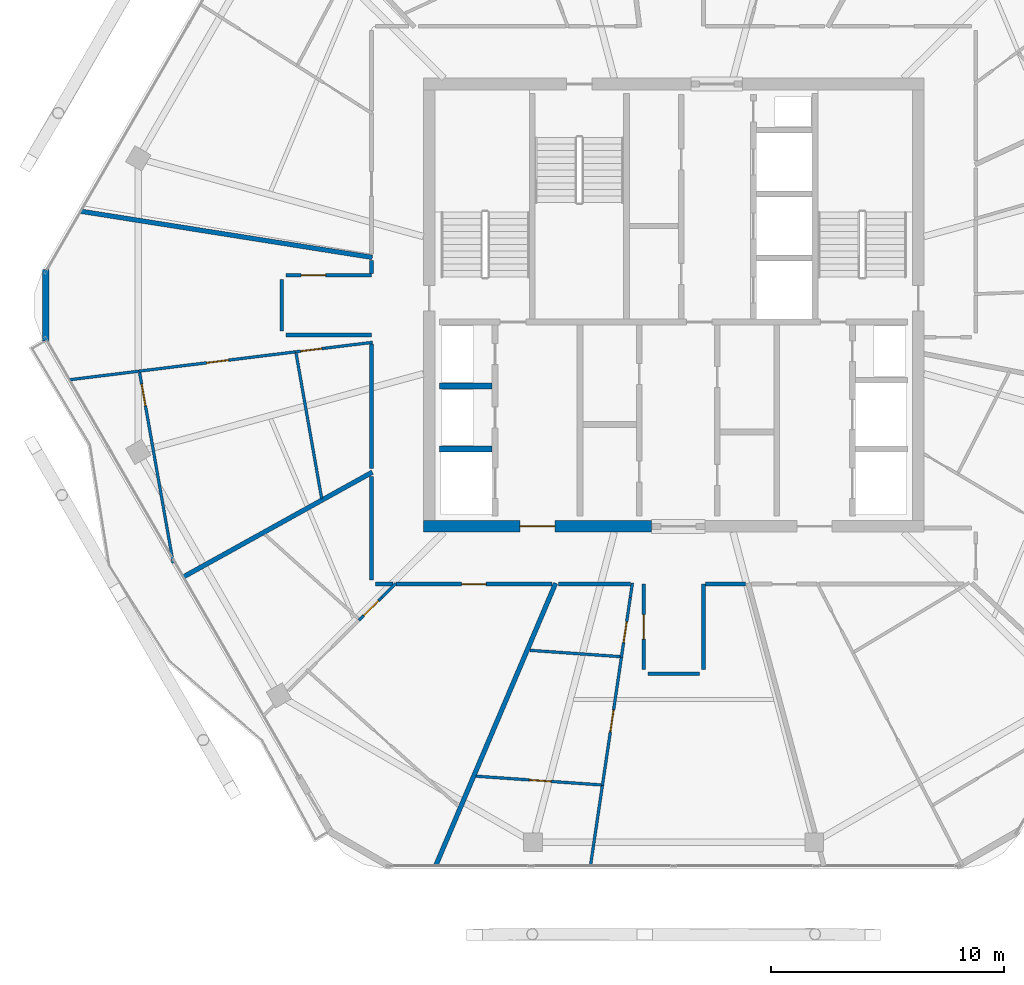
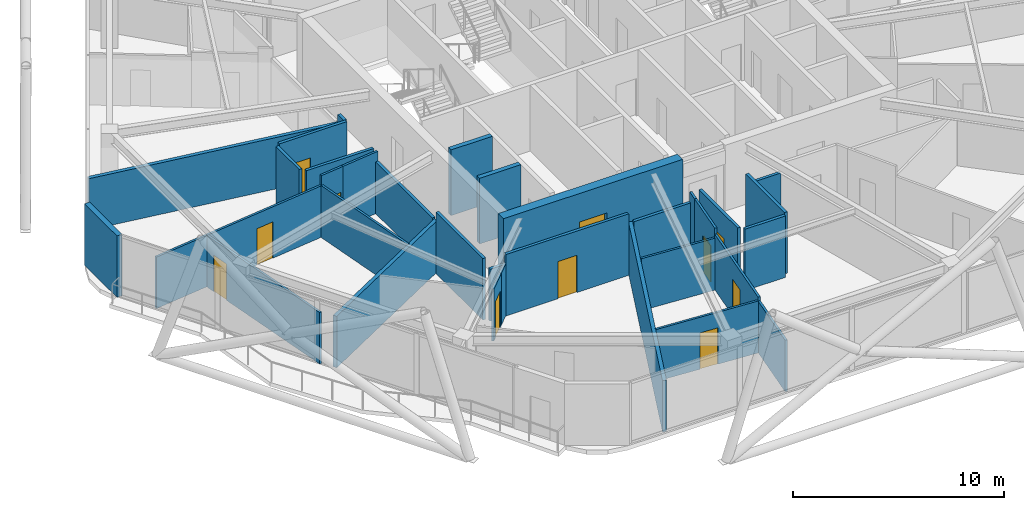
# One storey, part 16 of 23: 34 walls, 11 doors, 11 openings.
"""IFC4 building model written with IfcOpenShell, lengths in metres."""

from ifc_helpers import new_model, si_unit, direction, frame, frame_2d, origin, place, context, subcontext, project, spatial, rectangle, extrude, material, layer, layer_set, type_object, element, fill, save


model = new_model("IFC4")

# Units and contexts
model_context = context("Model", 3, precision=1e-05, world=origin(), true_north=direction((0.0, 1.0)))
body_context = subcontext(model_context, "Body", "Model", "MODEL_VIEW")
ifc_project = project(units=[si_unit("LENGTHUNIT", "METRE"), si_unit("AREAUNIT", "SQUARE_METRE"), si_unit("VOLUMEUNIT", "CUBIC_METRE"), si_unit("PLANEANGLEUNIT", "RADIAN"), si_unit("MASSUNIT", "GRAM", prefix="KILO")], contexts=[model_context])

# Site, building, storey
site_placement = place(None, origin())
site = spatial("IfcSite", under=ifc_project, at=site_placement, CompositionType="ELEMENT")
building_placement = place(site_placement, origin())
building = spatial("IfcBuilding", under=site, at=building_placement, Name="Zuhravey Tower", CompositionType="ELEMENT")
storey_placement = place(building_placement, frame((0.0, 0.0, 331.0)))
storey = spatial("IfcBuildingStorey", under=building, at=storey_placement, Name="L84", CompositionType="ELEMENT", Elevation=331.0)

# Wall, opening, door
ifc_material_1 = material(Name="Concrete C50/60", Category="concrete")
ifc_layer_1 = layer(ifc_material_1, 0.5)
ifc_layer_set_1 = layer_set([ifc_layer_1], Name="Concrete C50/60")
wall_type_1 = type_object("IfcWallType", Name="Core Shear Wall 500", PredefinedType="SHEAR", material=ifc_layer_set_1)
wall_1_placement = place(storey_placement, frame((25.25, 22.5, 0.0), z_axis=(0.0, 0.0, 1.0), x_axis=(1.0, 0.0, 0.0)))
wall_1 = element("IfcWall", 1, at=wall_1_placement, inside=storey, type_object=wall_type_1, Name="L84 South-West Core Shear Wall CW50", PredefinedType="SHEAR", context=body_context, shape_type="SweptSolid", body=[
    extrude(rectangle(XDim=9.800048828125, YDim=0.5, at=frame_2d((4.89990234375, 0.0))), origin(), (0.0, 0.0, 1.0), 3.800048828125),
])
opening_1_placement = place(wall_1_placement, frame((4.14990234375, 0.0, 0.0)))
opening_1 = element("IfcOpeningElement", 2, at=opening_1_placement, cuts=wall_1, Name="Opening FFD1", PredefinedType="OPENING", context=body_context, shape_type="SweptSolid", body=[
    extrude(rectangle(XDim=1.5, YDim=2.14990234375, at=frame_2d((0.75, 1.074951171875))), frame((0.0, 0.261962890625, 0.0), z_axis=(0.0, -1.0, 0.0), x_axis=(1.0, 0.0, 0.0)), (0.0, 0.0, 1.0), 0.52392578125),
])
ifc_material_2 = material(Name="Galvanised fire-rated steel leaf", Category="steel")
door_type_1 = type_object("IfcDoorType", Name="Firefighting Lobby Double Door 1500x2150", OperationType="DOUBLE_DOOR_SINGLE_SWING", PredefinedType="DOOR", material=ifc_material_2)
door_1_placement = place(opening_1_placement, origin())
door_1 = element("IfcDoor", 3, at=door_1_placement, inside=storey, type_object=door_type_1, Name="L84 Firefighting Lobby West Door", OperationType="DOUBLE_DOOR_SINGLE_SWING", OverallHeight=2.14990234375, OverallWidth=1.5, PredefinedType="DOOR", context=body_context, shape_type="SweptSolid", body=[
    extrude(rectangle(XDim=1.5, YDim=2.14990234375, at=frame_2d((0.75, 1.074951171875))), frame((0.0, 0.02490234375, 0.0), z_axis=(0.0, -1.0, 0.0), x_axis=(1.0, 0.0, 0.0)), (0.0, 0.0, 1.0), 0.050048828125),
])
fill(opening_1, door_1)

ifc_material_3 = material(Name="Gypsum fire-rated stud partition")
ifc_layer_2 = layer(ifc_material_3, 0.159912109375)
ifc_layer_set_2 = layer_set([ifc_layer_2], Name="Gypsum fire-rated stud partition")
wall_type_2 = type_object("IfcWallType", Name="Corridor Fire Partition 160", PredefinedType="PARTITIONING", material=ifc_layer_set_2)
wall_2_placement = place(storey_placement, frame((23.02001953125, 33.280029296875, 0.0), z_axis=(0.0, 0.0, 1.0), x_axis=(-1.0, 0.0, 0.0)))
wall_2 = element("IfcWall", 4, at=wall_2_placement, inside=storey, type_object=wall_type_2, Name="L84 IW16 Partition 027", PredefinedType="PARTITIONING", context=body_context, shape_type="SweptSolid", body=[
    extrude(rectangle(XDim=3.669921875, YDim=0.159912109375, at=frame_2d((1.8349609375, 0.0))), origin(), (0.0, 0.0, 1.0), 3.550048828125),
])
opening_2_placement = place(wall_2_placement, frame((1.969970703125, 0.0, 0.0)))
opening_2 = element("IfcOpeningElement", 5, at=opening_2_placement, cuts=wall_2, Name="Opening APD1", PredefinedType="OPENING", context=body_context, shape_type="SweptSolid", body=[
    extrude(rectangle(XDim=1.050048828125, YDim=2.14990234375, at=frame_2d((0.52490234375, 1.074951171875))), frame((0.0, 0.092041015625, 0.0), z_axis=(0.0, -1.0, 0.0), x_axis=(1.0, 0.0, 0.0)), (0.0, 0.0, 1.0), 0.183837890625),
])
ifc_material_4 = material(Name="Solid-core oak fire-rated leaf")
door_type_2 = type_object("IfcDoorType", Name="Apartment Entrance Fire Door 1050x2150", OperationType="NOTDEFINED", PredefinedType="DOOR", material=ifc_material_4)
door_2_placement = place(opening_2_placement, origin())
door_2 = element("IfcDoor", 6, at=door_2_placement, inside=storey, type_object=door_type_2, Name="L84 Door 027.1", OperationType="SINGLE_SWING_LEFT", OverallHeight=2.14990234375, OverallWidth=1.050048828125, PredefinedType="DOOR", context=body_context, shape_type="SweptSolid", body=[
    extrude(rectangle(XDim=1.050048828125, YDim=2.14990234375, at=frame_2d((0.52490234375, 1.074951171875))), frame((0.0, 0.02490234375, 0.0), z_axis=(0.0, -1.0, 0.0), x_axis=(1.0, 0.0, 0.0)), (0.0, 0.0, 1.0), 0.050048828125),
])
fill(opening_2, door_2)

wall_3_placement = place(storey_placement, frame((24.06494140625, 20.02001953125, 0.0), z_axis=(0.0, 0.0, 1.0), x_axis=(1.0, 0.0, 0.0)))
wall_3 = element("IfcWall", 7, at=wall_3_placement, inside=storey, type_object=wall_type_2, Name="L84 IW16 Partition 032", PredefinedType="PARTITIONING", context=body_context, shape_type="SweptSolid", body=[
    extrude(rectangle(XDim=6.7041015625, YDim=0.159912109375, at=frame_2d((3.35205078125, 0.0))), origin(), (0.0, 0.0, 1.0), 3.550048828125),
])
opening_3_placement = place(wall_3_placement, frame((2.8271484375, 0.0, 0.0)))
opening_3 = element("IfcOpeningElement", 8, at=opening_3_placement, cuts=wall_3, Name="Opening APD1", PredefinedType="OPENING", context=body_context, shape_type="SweptSolid", body=[
    extrude(rectangle(XDim=1.050048828125, YDim=2.14990234375, at=frame_2d((0.52490234375, 1.074951171875))), frame((0.0, 0.092041015625, 0.0), z_axis=(0.0, -1.0, 0.0), x_axis=(1.0, 0.0, 0.0)), (0.0, 0.0, 1.0), 0.183837890625),
])
door_3_placement = place(opening_3_placement, frame((1.050048828125, 0.0, 0.0), z_axis=(0.0, 0.0, 1.0), x_axis=(-1.0, 0.0, 0.0)))
door_3 = element("IfcDoor", 9, at=door_3_placement, inside=storey, type_object=door_type_2, Name="L84 Door 032.1", OperationType="SINGLE_SWING_LEFT", OverallHeight=2.14990234375, OverallWidth=1.050048828125, PredefinedType="DOOR", context=body_context, shape_type="SweptSolid", body=[
    extrude(rectangle(XDim=1.050048828125, YDim=2.14990234375, at=frame_2d((0.52490234375, 1.074951171875))), frame((0.0, 0.02490234375, 0.0), z_axis=(0.0, -1.0, 0.0), x_axis=(1.0, 0.0, 0.0)), (0.0, 0.0, 1.0), 0.050048828125),
])
fill(opening_3, door_3)

wall_4_placement = place(storey_placement, frame((34.719970703125, 20.02001953125, 0.0), z_axis=(0.0, 0.0, 1.0), x_axis=(0.0, -1.0, 0.0)))
wall_4 = element("IfcWall", 10, at=wall_4_placement, inside=storey, type_object=wall_type_2, Name="L84 IW16 Partition 036", PredefinedType="PARTITIONING", context=body_context, shape_type="SweptSolid", body=[
    extrude(rectangle(XDim=3.669921875, YDim=0.159912109375, at=frame_2d((1.8349609375, 0.0))), origin(), (0.0, 0.0, 1.0), 3.550048828125),
])
opening_4_placement = place(wall_4_placement, frame((1.31005859375, 0.0, 0.0)))
opening_4 = element("IfcOpeningElement", 11, at=opening_4_placement, cuts=wall_4, Name="Opening APD1", PredefinedType="OPENING", context=body_context, shape_type="SweptSolid", body=[
    extrude(rectangle(XDim=1.050048828125, YDim=2.14990234375, at=frame_2d((0.52490234375, 1.074951171875))), frame((0.0, 0.092041015625, 0.0), z_axis=(0.0, -1.0, 0.0), x_axis=(1.0, 0.0, 0.0)), (0.0, 0.0, 1.0), 0.183837890625),
])
door_4_placement = place(opening_4_placement, origin())
door_4 = element("IfcDoor", 12, at=door_4_placement, inside=storey, type_object=door_type_2, Name="L84 Door 036.1", OperationType="SINGLE_SWING_LEFT", OverallHeight=2.14990234375, OverallWidth=1.050048828125, PredefinedType="DOOR", context=body_context, shape_type="SweptSolid", body=[
    extrude(rectangle(XDim=1.050048828125, YDim=2.14990234375, at=frame_2d((0.52490234375, 1.074951171875))), frame((0.0, 0.02490234375, 0.0), z_axis=(0.0, -1.0, 0.0), x_axis=(1.0, 0.0, 0.0)), (0.0, 0.0, 1.0), 0.050048828125),
])
fill(opening_4, door_4)

# Walls
wall_5_placement = place(storey_placement, frame((19.35009765625, 30.719970703125, 0.0), z_axis=(0.0, 0.0, 1.0), x_axis=(1.0, 0.0, 0.0)))
element("IfcWall", 13, at=wall_5_placement, inside=storey, type_object=wall_type_2, Name="L84 IW16 Partition 106", PredefinedType="PARTITIONING", context=body_context, shape_type="SweptSolid", body=[
    extrude(rectangle(XDim=3.669921875, YDim=0.159912109375, at=frame_2d((1.8349609375, 0.0))), origin(), (0.0, 0.0, 1.0), 3.550048828125),
])
wall_6_placement = place(storey_placement, frame((19.169921875, 33.10009765625, 0.0), z_axis=(0.0, 0.0, 1.0), x_axis=(0.0, -1.0, 0.0)))
element("IfcWall", 14, at=wall_6_placement, inside=storey, type_object=wall_type_2, Name="L84 IW16 Partition 107", PredefinedType="PARTITIONING", context=body_context, shape_type="SweptSolid", body=[
    extrude(rectangle(XDim=2.2001953125, YDim=0.159912109375, at=frame_2d((1.10009765625, 0.0))), origin(), (0.0, 0.0, 1.0), 3.550048828125),
])
wall_7_placement = place(storey_placement, frame((23.02001953125, 33.919677734375, 0.0), z_axis=(0.0, 0.0, 1.0), x_axis=(0.0, -1.0, 0.0)))
element("IfcWall", 15, at=wall_7_placement, inside=storey, type_object=wall_type_2, Name="L84 IW16 Partition 108", PredefinedType="PARTITIONING", context=body_context, shape_type="SweptSolid", body=[
    extrude(rectangle(XDim=0.5517578125, YDim=0.159912109375, at=frame_2d((0.27587890625, 0.0))), origin(), (0.0, 0.0, 1.0), 3.550048828125),
])
wall_8_placement = place(storey_placement, frame((23.02001953125, 30.32861328125, 0.0), z_axis=(0.0, 0.0, 1.0), x_axis=(0.0, -1.0, 0.0)))
element("IfcWall", 16, at=wall_8_placement, inside=storey, type_object=wall_type_2, Name="L84 IW16 Partition 109", PredefinedType="PARTITIONING", context=body_context, shape_type="SweptSolid", body=[
    extrude(rectangle(XDim=5.353515625, YDim=0.159912109375, at=frame_2d((2.6767578125, 0.0))), origin(), (0.0, 0.0, 1.0), 3.0),
])
wall_9_placement = place(storey_placement, frame((23.02001953125, 24.63330078125, 0.0), z_axis=(0.0, 0.0, 1.0), x_axis=(0.0, -1.0, 0.0)))
element("IfcWall", 17, at=wall_9_placement, inside=storey, type_object=wall_type_2, Name="L84 IW16 Partition 110", PredefinedType="PARTITIONING", context=body_context, shape_type="SweptSolid", body=[
    extrude(rectangle(XDim=4.433349609375, YDim=0.159912109375, at=frame_2d((2.216796875, 0.0))), origin(), (0.0, 0.0, 1.0), 3.550048828125),
])
wall_10_placement = place(storey_placement, frame((23.199951171875, 20.02001953125, 0.0), z_axis=(0.0, 0.0, 1.0), x_axis=(1.0, 0.0, 0.0)))
element("IfcWall", 18, at=wall_10_placement, inside=storey, type_object=wall_type_2, Name="L84 IW16 Partition 111", PredefinedType="PARTITIONING", context=body_context, shape_type="SweptSolid", body=[
    extrude(rectangle(XDim=0.740478515625, YDim=0.159912109375, at=frame_2d((0.3701171875, 0.0))), origin(), (0.0, 0.0, 1.0), 3.0),
])
wall_11_placement = place(storey_placement, frame((37.280029296875, 16.35009765625, 0.0), z_axis=(0.0, 0.0, 1.0), x_axis=(0.0, 1.0, 0.0)))
element("IfcWall", 19, at=wall_11_placement, inside=storey, type_object=wall_type_2, Name="L84 IW16 Partition 112", PredefinedType="PARTITIONING", context=body_context, shape_type="SweptSolid", body=[
    extrude(rectangle(XDim=3.669921875, YDim=0.159912109375, at=frame_2d((1.8349609375, 0.0))), origin(), (0.0, 0.0, 1.0), 3.550048828125),
])
wall_12_placement = place(storey_placement, frame((34.89990234375, 16.169921875, 0.0), z_axis=(0.0, 0.0, 1.0), x_axis=(1.0, 0.0, 0.0)))
element("IfcWall", 20, at=wall_12_placement, inside=storey, type_object=wall_type_2, Name="L84 IW16 Partition 113", PredefinedType="PARTITIONING", context=body_context, shape_type="SweptSolid", body=[
    extrude(rectangle(XDim=2.2001953125, YDim=0.159912109375, at=frame_2d((1.10009765625, 0.0))), origin(), (0.0, 0.0, 1.0), 3.550048828125),
])
wall_13_placement = place(storey_placement, frame((37.367919921875, 20.02001953125, 0.0), z_axis=(0.0, 0.0, 1.0), x_axis=(1.0, 0.0, 0.0)))
element("IfcWall", 21, at=wall_13_placement, inside=storey, type_object=wall_type_2, Name="L84 IW16 Partition 114", PredefinedType="PARTITIONING", context=body_context, shape_type="SweptSolid", body=[
    extrude(rectangle(XDim=1.709716796875, YDim=0.159912109375, at=frame_2d((0.85498046875, 0.0))), origin(), (0.0, 0.0, 1.0), 3.0),
])
wall_14_placement = place(storey_placement, frame((31.059326171875, 20.02001953125, 0.0), z_axis=(0.0, 0.0, 1.0), x_axis=(1.0, 0.0, 0.0)))
element("IfcWall", 22, at=wall_14_placement, inside=storey, type_object=wall_type_2, Name="L84 IW16 Partition 115", PredefinedType="PARTITIONING", context=body_context, shape_type="SweptSolid", body=[
    extrude(rectangle(XDim=3.09423828125, YDim=0.159912109375, at=frame_2d((1.547119140625, 0.0))), origin(), (0.0, 0.0, 1.0), 3.0),
])
ifc_material_5 = material(Name="Precast concrete C40/50", Category="concrete")
ifc_layer_3 = layer(ifc_material_5, 0.280029296875)
ifc_layer_set_3 = layer_set([ifc_layer_3], Name="Precast concrete C40/50")
wall_type_3 = type_object("IfcWallType", Name="Crown Architectural Wall 280", PredefinedType="SOLIDWALL", material=ifc_layer_set_3)
wall_15_placement = place(storey_placement, frame((9.031494140625, 30.467529296875, 0.0), z_axis=(0.0, 0.0, 1.0), x_axis=(0.0, 1.0, 0.0)))
element("IfcWall", 23, at=wall_15_placement, inside=storey, type_object=wall_type_3, Name="L84 Rounded Corner Closure Wall EW28-06", PredefinedType="SOLIDWALL", context=body_context, shape_type="SweptSolid", body=[
    extrude(rectangle(XDim=3.06494140625, YDim=0.280029296875, at=frame_2d((1.532470703125, 0.0))), origin(), (0.0, 0.0, 1.0), 3.550048828125),
])
ifc_layer_4 = layer(ifc_material_1, 0.25)
ifc_layer_set_4 = layer_set([ifc_layer_4], Name="Concrete C50/60")
wall_type_4 = type_object("IfcWallType", Name="Firefighting Shaft & Stair Wall 250", PredefinedType="SOLIDWALL", material=ifc_layer_set_4)
for number, where, z_axis, x_axis, name in (
    (24, (25.949951171875, 25.824951171875, 0.0), (0.0, 0.0, 1.0), (1.0, 0.0, 0.0), "L84 FW25 Shaft Wall 009"),
    (25, (25.949951171875, 28.52490234375, 0.0), (0.0, 0.0, 1.0), (1.0, 0.0, 0.0), "L84 FW25 Shaft Wall 010"),
):
    element("IfcWall", number, at=place(storey_placement, frame(where, z_axis=z_axis, x_axis=x_axis)), inside=storey, type_object=wall_type_4, Name=name, PredefinedType="SOLIDWALL", context=body_context, shape_type="SweptSolid", body=[
        extrude(rectangle(XDim=2.25, YDim=0.25, at=frame_2d((1.125, 0.0))), origin(), (0.0, 0.0, 1.0), 3.800048828125),
    ])
ifc_material_6 = material(Name="Gypsum double-stud party assembly")
ifc_layer_5 = layer(ifc_material_6, 0.199951171875)
ifc_layer_set_5 = layer_set([ifc_layer_5], Name="Gypsum double-stud party assembly")
wall_type_5 = type_object("IfcWallType", Name="Inter-Tenancy Party Wall 200", PredefinedType="PARTITIONING", material=ifc_layer_set_5)
wall_16_placement = place(storey_placement, frame((23.06005859375, 34.049560546875, 0.0), z_axis=(0.0, 0.0, 1.0), x_axis=(-0.987689201377, 0.156429030179, 0.0)))
element("IfcWall", 26, at=wall_16_placement, inside=storey, type_object=wall_type_5, Name="L84 IW20 Partition 066", PredefinedType="PARTITIONING", context=body_context, shape_type="SweptSolid", body=[
    extrude(rectangle(XDim=12.685546875, YDim=0.199951171875, at=frame_2d((6.3427734375, 0.0))), origin(), (0.0, 0.0, 1.0), 2.969970703125),
])
wall_17_placement = place(storey_placement, frame((23.06005859375, 24.8271484375, 0.0), z_axis=(0.0, 0.0, 1.0), x_axis=(-0.874625812901, -0.484798604998, 0.0)))
element("IfcWall", 27, at=wall_17_placement, inside=storey, type_object=wall_type_5, Name="L84 IW20 Partition 070", PredefinedType="PARTITIONING", context=body_context, shape_type="SweptSolid", body=[
    extrude(rectangle(XDim=9.28271484375, YDim=0.199951171875, at=frame_2d((4.641357421875, 0.0))), origin(), (0.0, 0.0, 1.0), 2.969970703125),
])
wall_18_placement = place(storey_placement, frame((30.931884765625, 20.06005859375, 0.0), z_axis=(0.0, 0.0, 1.0), x_axis=(-0.390727247375, -0.920506500878, 0.0)))
element("IfcWall", 28, at=wall_18_placement, inside=storey, type_object=wall_type_5, Name="L84 IW20 Partition 074", PredefinedType="PARTITIONING", context=body_context, shape_type="SweptSolid", body=[
    extrude(rectangle(XDim=13.18212890625, YDim=0.199951171875, at=frame_2d((6.591064453125, 0.0))), origin(), (0.0, 0.0, 1.0), 2.969970703125),
])

# Wall, opening, door
ifc_material_7 = material(Name="Gypsum metal-stud partition")
ifc_layer_6 = layer(ifc_material_7, 0.1201171875)
ifc_layer_set_6 = layer_set([ifc_layer_6], Name="Gypsum metal-stud partition")
wall_type_6 = type_object("IfcWallType", Name="Unit Internal Partition 120", PredefinedType="PARTITIONING", material=ifc_layer_set_6)
wall_19_placement = place(storey_placement, frame((21.01953125, 30.14990234375, 0.0), z_axis=(0.0, 0.0, 1.0), x_axis=(-0.992470094152, -0.122487192042, 0.0)))
wall_19 = element("IfcWall", 29, at=wall_19_placement, inside=storey, type_object=wall_type_6, Name="L84 IW12 Partition 024", PredefinedType="PARTITIONING", context=body_context, shape_type="SweptSolid", body=[
    extrude(rectangle(XDim=1.28173828125, YDim=0.1201171875, at=frame_2d((0.640869140625, 0.0))), origin(), (0.0, 0.0, 1.0), 3.550048828125),
])
opening_5_placement = place(wall_19_placement, frame((0.139892578125, 0.0, 0.0)))
opening_5 = element("IfcOpeningElement", 30, at=opening_5_placement, cuts=wall_19, Name="Opening WCD1", PredefinedType="OPENING", context=body_context, shape_type="SweptSolid", body=[
    extrude(rectangle(XDim=0.89990234375, YDim=2.10009765625, at=frame_2d((0.449951171875, 1.050048828125))), frame((0.0, 0.072021484375, 0.0), z_axis=(0.0, -1.0, 0.0), x_axis=(1.0, 0.0, 0.0)), (0.0, 0.0, 1.0), 0.14404296875),
])
ifc_material_8 = material(Name="Moisture-resistant timber leaf", Category="wood")
door_type_3 = type_object("IfcDoorType", Name="Bathroom & WC Internal Door 900x2100", OperationType="NOTDEFINED", PredefinedType="DOOR", material=ifc_material_8)
door_5_placement = place(opening_5_placement, origin())
door_5 = element("IfcDoor", 31, at=door_5_placement, inside=storey, type_object=door_type_3, Name="Apartment L84-02 Bathroom Door", OperationType="SINGLE_SWING_RIGHT", OverallHeight=2.10009765625, OverallWidth=0.89990234375, PredefinedType="DOOR", context=body_context, shape_type="SweptSolid", body=[
    extrude(rectangle(XDim=0.89990234375, YDim=2.10009765625, at=frame_2d((0.449951171875, 1.050048828125))), frame((0.0, 0.02490234375, 0.0), z_axis=(0.0, -1.0, 0.0), x_axis=(1.0, 0.0, 0.0)), (0.0, 0.0, 1.0), 0.050048828125),
])
fill(opening_5, door_5)

wall_20_placement = place(storey_placement, frame((19.74755859375, 29.992919921875, 0.0), z_axis=(0.0, 0.0, 1.0), x_axis=(-0.992461497714, -0.122556825821, 0.0)))
wall_20 = element("IfcWall", 32, at=wall_20_placement, inside=storey, type_object=wall_type_6, Name="L84 IW12 Partition 025", PredefinedType="PARTITIONING", context=body_context, shape_type="SweptSolid", body=[
    extrude(rectangle(XDim=6.77099609375, YDim=0.1201171875, at=frame_2d((3.385498046875, 0.0))), origin(), (0.0, 0.0, 1.0), 2.969970703125),
])
opening_6_placement = place(wall_20_placement, frame((2.885498046875, 0.0, 0.0)))
opening_6 = element("IfcOpeningElement", 33, at=opening_6_placement, cuts=wall_20, Name="Opening IND1", PredefinedType="OPENING", context=body_context, shape_type="SweptSolid", body=[
    extrude(rectangle(XDim=0.949951171875, YDim=2.10009765625, at=frame_2d((0.47509765625, 1.050048828125))), frame((0.0, 0.072021484375, 0.0), z_axis=(0.0, -1.0, 0.0), x_axis=(1.0, 0.0, 0.0)), (0.0, 0.0, 1.0), 0.14404296875),
])
ifc_material_9 = material(Name="Painted engineered timber leaf", Category="wood")
door_type_4 = type_object("IfcDoorType", Name="Internal Room & Bedroom Door 950x2100", OperationType="NOTDEFINED", PredefinedType="DOOR", material=ifc_material_9)
door_6_placement = place(opening_6_placement, origin())
door_6 = element("IfcDoor", 34, at=door_6_placement, inside=storey, type_object=door_type_4, Name="Apartment L84-02 Home Office Door", OperationType="SINGLE_SWING_LEFT", OverallHeight=2.10009765625, OverallWidth=0.949951171875, PredefinedType="DOOR", context=body_context, shape_type="SweptSolid", body=[
    extrude(rectangle(XDim=0.949951171875, YDim=2.10009765625, at=frame_2d((0.47509765625, 1.050048828125))), frame((0.0, 0.02490234375, 0.0), z_axis=(0.0, -1.0, 0.0), x_axis=(1.0, 0.0, 0.0)), (0.0, 0.0, 1.0), 0.050048828125),
])
fill(opening_6, door_6)

wall_21_placement = place(storey_placement, frame((13.064208984375, 29.09912109375, 0.0), z_axis=(0.0, 0.0, 1.0), x_axis=(0.173662921091, -0.984805153235, 0.0)))
wall_21 = element("IfcWall", 35, at=wall_21_placement, inside=storey, type_object=wall_type_6, Name="L84 IW12 Partition 026", PredefinedType="PARTITIONING", context=body_context, shape_type="SweptSolid", body=[
    extrude(rectangle(XDim=8.3056640625, YDim=0.1201171875, at=frame_2d((4.15283203125, 0.0))), origin(), (0.0, 0.0, 1.0), 2.969970703125),
])
opening_7_placement = place(wall_21_placement, frame((0.497314453125, 0.0, 0.0)))
opening_7 = element("IfcOpeningElement", 36, at=opening_7_placement, cuts=wall_21, Name="Opening IND1", PredefinedType="OPENING", context=body_context, shape_type="SweptSolid", body=[
    extrude(rectangle(XDim=0.949951171875, YDim=2.10009765625, at=frame_2d((0.47509765625, 1.050048828125))), frame((0.0, 0.072021484375, 0.0), z_axis=(0.0, -1.0, 0.0), x_axis=(1.0, 0.0, 0.0)), (0.0, 0.0, 1.0), 0.14404296875),
])
door_7_placement = place(opening_7_placement, frame((0.949951171875, 0.0, 0.0), z_axis=(0.0, 0.0, 1.0), x_axis=(-1.0, 0.0, 0.0)))
door_7 = element("IfcDoor", 37, at=door_7_placement, inside=storey, type_object=door_type_4, Name="Apartment L84-02 Bedroom 1 Door", OperationType="SINGLE_SWING_RIGHT", OverallHeight=2.10009765625, OverallWidth=0.949951171875, PredefinedType="DOOR", context=body_context, shape_type="SweptSolid", body=[
    extrude(rectangle(XDim=0.949951171875, YDim=2.10009765625, at=frame_2d((0.47509765625, 1.050048828125))), frame((0.0, 0.02490234375, 0.0), z_axis=(0.0, -1.0, 0.0), x_axis=(1.0, 0.0, 0.0)), (0.0, 0.0, 1.0), 0.050048828125),
])
fill(opening_7, door_7)

wall_22_placement = place(storey_placement, frame((23.46728515625, 19.449951171875, 0.0), z_axis=(0.0, 0.0, 1.0), x_axis=(-0.706576517607, -0.707636647416, 0.0)))
wall_22 = element("IfcWall", 38, at=wall_22_placement, inside=storey, type_object=wall_type_6, Name="L84 IW12 Partition 029", PredefinedType="PARTITIONING", context=body_context, shape_type="SweptSolid", body=[
    extrude(rectangle(XDim=1.3818359375, YDim=0.1201171875, at=frame_2d((0.69091796875, 0.0))), origin(), (0.0, 0.0, 1.0), 3.0),
])
opening_8_placement = place(wall_22_placement, frame((0.199951171875, 0.0, 0.0)))
opening_8 = element("IfcOpeningElement", 39, at=opening_8_placement, cuts=wall_22, Name="Opening WCD1", PredefinedType="OPENING", context=body_context, shape_type="SweptSolid", body=[
    extrude(rectangle(XDim=0.89990234375, YDim=2.10009765625, at=frame_2d((0.449951171875, 1.050048828125))), frame((0.0, 0.072021484375, 0.0), z_axis=(0.0, -1.0, 0.0), x_axis=(1.0, 0.0, 0.0)), (0.0, 0.0, 1.0), 0.14404296875),
])
door_8_placement = place(opening_8_placement, frame((0.89990234375, 0.0, 0.0), z_axis=(0.0, 0.0, 1.0), x_axis=(-1.0, 0.0, 0.0)))
door_8 = element("IfcDoor", 40, at=door_8_placement, inside=storey, type_object=door_type_3, Name="Apartment L84-03 Bathroom Door", OperationType="SINGLE_SWING_LEFT", OverallHeight=2.10009765625, OverallWidth=0.89990234375, PredefinedType="DOOR", context=body_context, shape_type="SweptSolid", body=[
    extrude(rectangle(XDim=0.89990234375, YDim=2.10009765625, at=frame_2d((0.449951171875, 1.050048828125))), frame((0.0, 0.02490234375, 0.0), z_axis=(0.0, -1.0, 0.0), x_axis=(1.0, 0.0, 0.0)), (0.0, 0.0, 1.0), 0.050048828125),
])
fill(opening_8, door_8)

wall_23_placement = place(storey_placement, frame((34.1376953125, 19.449951171875, 0.0), z_axis=(0.0, 0.0, 1.0), x_axis=(-0.146698230723, -0.989181292334, 0.0)))
wall_23 = element("IfcWall", 41, at=wall_23_placement, inside=storey, type_object=wall_type_6, Name="L84 IW12 Partition 033", PredefinedType="PARTITIONING", context=body_context, shape_type="SweptSolid", body=[
    extrude(rectangle(XDim=2.602783203125, YDim=0.1201171875, at=frame_2d((1.30126953125, 0.0))), origin(), (0.0, 0.0, 1.0), 3.550048828125),
])
opening_9_placement = place(wall_23_placement, frame((1.059814453125, 0.0, 0.0)))
opening_9 = element("IfcOpeningElement", 42, at=opening_9_placement, cuts=wall_23, Name="Opening WCD1", PredefinedType="OPENING", context=body_context, shape_type="SweptSolid", body=[
    extrude(rectangle(XDim=0.89990234375, YDim=2.10009765625, at=frame_2d((0.449951171875, 1.050048828125))), frame((0.0, 0.072021484375, 0.0), z_axis=(0.0, -1.0, 0.0), x_axis=(1.0, 0.0, 0.0)), (0.0, 0.0, 1.0), 0.14404296875),
])
door_9_placement = place(opening_9_placement, frame((0.89990234375, 0.0, 0.0), z_axis=(0.0, 0.0, 1.0), x_axis=(-1.0, 0.0, 0.0)))
door_9 = element("IfcDoor", 43, at=door_9_placement, inside=storey, type_object=door_type_3, Name="Apartment L84-04 Bathroom Door", OperationType="SINGLE_SWING_RIGHT", OverallHeight=2.10009765625, OverallWidth=0.89990234375, PredefinedType="DOOR", context=body_context, shape_type="SweptSolid", body=[
    extrude(rectangle(XDim=0.89990234375, YDim=2.10009765625, at=frame_2d((0.449951171875, 1.050048828125))), frame((0.0, 0.02490234375, 0.0), z_axis=(0.0, -1.0, 0.0), x_axis=(1.0, 0.0, 0.0)), (0.0, 0.0, 1.0), 0.050048828125),
])
fill(opening_9, door_9)

wall_24_placement = place(storey_placement, frame((33.755859375, 16.875244140625, 0.0), z_axis=(0.0, 0.0, 1.0), x_axis=(-0.146775791573, -0.989169786744, 0.0)))
wall_24 = element("IfcWall", 44, at=wall_24_placement, inside=storey, type_object=wall_type_6, Name="L84 IW12 Partition 034", PredefinedType="PARTITIONING", context=body_context, shape_type="SweptSolid", body=[
    extrude(rectangle(XDim=5.570556640625, YDim=0.1201171875, at=frame_2d((2.78515625, 0.0))), origin(), (0.0, 0.0, 1.0), 3.199951171875),
])
opening_10_placement = place(wall_24_placement, frame((2.285400390625, 0.0, 0.0)))
opening_10 = element("IfcOpeningElement", 45, at=opening_10_placement, cuts=wall_24, Name="Opening IND1", PredefinedType="OPENING", context=body_context, shape_type="SweptSolid", body=[
    extrude(rectangle(XDim=0.949951171875, YDim=2.10009765625, at=frame_2d((0.47509765625, 1.050048828125))), frame((0.0, 0.072021484375, 0.0), z_axis=(0.0, -1.0, 0.0), x_axis=(1.0, 0.0, 0.0)), (0.0, 0.0, 1.0), 0.14404296875),
])
door_10_placement = place(opening_10_placement, frame((0.949951171875, 0.0, 0.0), z_axis=(0.0, 0.0, 1.0), x_axis=(-1.0, 0.0, 0.0)))
door_10 = element("IfcDoor", 46, at=door_10_placement, inside=storey, type_object=door_type_4, Name="Apartment L84-04 Home Office Door", OperationType="SINGLE_SWING_LEFT", OverallHeight=2.10009765625, OverallWidth=0.949951171875, PredefinedType="DOOR", context=body_context, shape_type="SweptSolid", body=[
    extrude(rectangle(XDim=0.949951171875, YDim=2.10009765625, at=frame_2d((0.47509765625, 1.050048828125))), frame((0.0, 0.02490234375, 0.0), z_axis=(0.0, -1.0, 0.0), x_axis=(1.0, 0.0, 0.0)), (0.0, 0.0, 1.0), 0.050048828125),
])
fill(opening_10, door_10)

wall_25_placement = place(storey_placement, frame((27.511962890625, 11.76953125, 0.0), z_axis=(0.0, 0.0, 1.0), x_axis=(0.997563205134, -0.06976855856, 0.0)))
wall_25 = element("IfcWall", 47, at=wall_25_placement, inside=storey, type_object=wall_type_6, Name="L84 IW12 Partition 035", PredefinedType="PARTITIONING", context=body_context, shape_type="SweptSolid", body=[
    extrude(rectangle(XDim=5.375, YDim=0.1201171875, at=frame_2d((2.6875, 0.0))), origin(), (0.0, 0.0, 1.0), 3.0),
])
opening_11_placement = place(wall_25_placement, frame((2.296630859375, 0.0, 0.0)))
opening_11 = element("IfcOpeningElement", 48, at=opening_11_placement, cuts=wall_25, Name="Opening IND1", PredefinedType="OPENING", context=body_context, shape_type="SweptSolid", body=[
    extrude(rectangle(XDim=0.949951171875, YDim=2.10009765625, at=frame_2d((0.47509765625, 1.050048828125))), frame((0.0, 0.072021484375, 0.0), z_axis=(0.0, -1.0, 0.0), x_axis=(1.0, 0.0, 0.0)), (0.0, 0.0, 1.0), 0.14404296875),
])
door_11_placement = place(opening_11_placement, frame((0.949951171875, 0.0, 0.0), z_axis=(0.0, 0.0, 1.0), x_axis=(-1.0, 0.0, 0.0)))
door_11 = element("IfcDoor", 49, at=door_11_placement, inside=storey, type_object=door_type_4, Name="Apartment L84-04 Bedroom 1 Door", OperationType="SINGLE_SWING_RIGHT", OverallHeight=2.10009765625, OverallWidth=0.949951171875, PredefinedType="DOOR", context=body_context, shape_type="SweptSolid", body=[
    extrude(rectangle(XDim=0.949951171875, YDim=2.10009765625, at=frame_2d((0.47509765625, 1.050048828125))), frame((0.0, 0.02490234375, 0.0), z_axis=(0.0, -1.0, 0.0), x_axis=(1.0, 0.0, 0.0)), (0.0, 0.0, 1.0), 0.050048828125),
])
fill(opening_11, door_11)

# Walls
wall_26_placement = place(storey_placement, frame((23.064697265625, 30.402587890625, 0.0), z_axis=(0.0, 0.0, 1.0), x_axis=(-0.992453667797, -0.122620215611, 0.0)))
element("IfcWall", 50, at=wall_26_placement, inside=storey, type_object=wall_type_6, Name="L84 IW12 Partition 067", PredefinedType="PARTITIONING", context=body_context, shape_type="SweptSolid", body=[
    extrude(rectangle(XDim=2.060791015625, YDim=0.1201171875, at=frame_2d((1.0302734375, 0.0))), origin(), (0.0, 0.0, 1.0), 3.550048828125),
])
wall_27_placement = place(storey_placement, frame((13.027587890625, 29.1630859375, 0.0), z_axis=(0.0, 0.0, 1.0), x_axis=(-0.99245949308, -0.122573058193, 0.0)))
element("IfcWall", 51, at=wall_27_placement, inside=storey, type_object=wall_type_6, Name="L84 IW12 Partition 068", PredefinedType="PARTITIONING", context=body_context, shape_type="SweptSolid", body=[
    extrude(rectangle(XDim=3.001708984375, YDim=0.1201171875, at=frame_2d((1.5009765625, 0.0))), origin(), (0.0, 0.0, 1.0), 2.969970703125),
])
wall_28_placement = place(storey_placement, frame((19.7841796875, 29.928955078125, 0.0), z_axis=(0.0, 0.0, 1.0), x_axis=(0.173638274333, -0.984809499186, 0.0)))
element("IfcWall", 52, at=wall_28_placement, inside=storey, type_object=wall_type_6, Name="L84 IW12 Partition 069", PredefinedType="PARTITIONING", context=body_context, shape_type="SweptSolid", body=[
    extrude(rectangle(XDim=6.345458984375, YDim=0.1201171875, at=frame_2d((3.1728515625, 0.0))), origin(), (0.0, 0.0, 1.0), 3.0),
])
wall_29_placement = place(storey_placement, frame((24.06494140625, 20.04833984375, 0.0), z_axis=(0.0, 0.0, 1.0), x_axis=(-0.706673637798, -0.707539659413, 0.0)))
element("IfcWall", 53, at=wall_29_placement, inside=storey, type_object=wall_type_6, Name="L84 IW12 Partition 071", PredefinedType="PARTITIONING", context=body_context, shape_type="SweptSolid", body=[
    extrude(rectangle(XDim=0.845703125, YDim=0.1201171875, at=frame_2d((0.4228515625, 0.0))), origin(), (0.0, 0.0, 1.0), 3.0),
])
wall_30_placement = place(storey_placement, frame((34.22900390625, 20.064697265625, 0.0), z_axis=(0.0, 0.0, 1.0), x_axis=(-0.146918808398, -0.989148554939, 0.0)))
element("IfcWall", 54, at=wall_30_placement, inside=storey, type_object=wall_type_6, Name="L84 IW12 Partition 075", PredefinedType="PARTITIONING", context=body_context, shape_type="SweptSolid", body=[
    extrude(rectangle(XDim=0.62158203125, YDim=0.1201171875, at=frame_2d((0.310791015625, 0.0))), origin(), (0.0, 0.0, 1.0), 3.550048828125),
])
wall_31_placement = place(storey_placement, frame((32.938232421875, 11.364990234375, 0.0), z_axis=(0.0, 0.0, 1.0), x_axis=(-0.146828188144, -0.989162010576, 0.0)))
element("IfcWall", 55, at=wall_31_placement, inside=storey, type_object=wall_type_6, Name="L84 IW12 Partition 076", PredefinedType="PARTITIONING", context=body_context, shape_type="SweptSolid", body=[
    extrude(rectangle(XDim=3.48193359375, YDim=0.1201171875, at=frame_2d((1.740966796875, 0.0))), origin(), (0.0, 0.0, 1.0), 2.969970703125),
])
wall_32_placement = place(storey_placement, frame((29.82470703125, 17.17529296875, 0.0), z_axis=(0.0, 0.0, 1.0), x_axis=(0.997561862018, -0.069787760015, 0.0)))
element("IfcWall", 56, at=wall_32_placement, inside=storey, type_object=wall_type_6, Name="L84 IW12 Partition 077", PredefinedType="PARTITIONING", context=body_context, shape_type="SweptSolid", body=[
    extrude(rectangle(XDim=3.876220703125, YDim=0.1201171875, at=frame_2d((1.93798828125, 0.0))), origin(), (0.0, 0.0, 1.0), 3.0),
])

save(model, "model.ifc")
